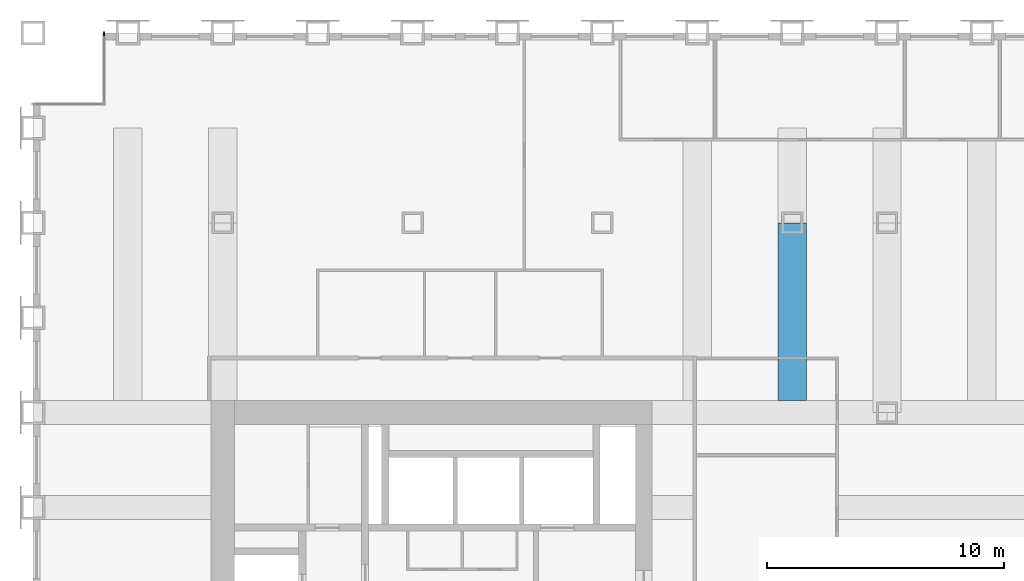
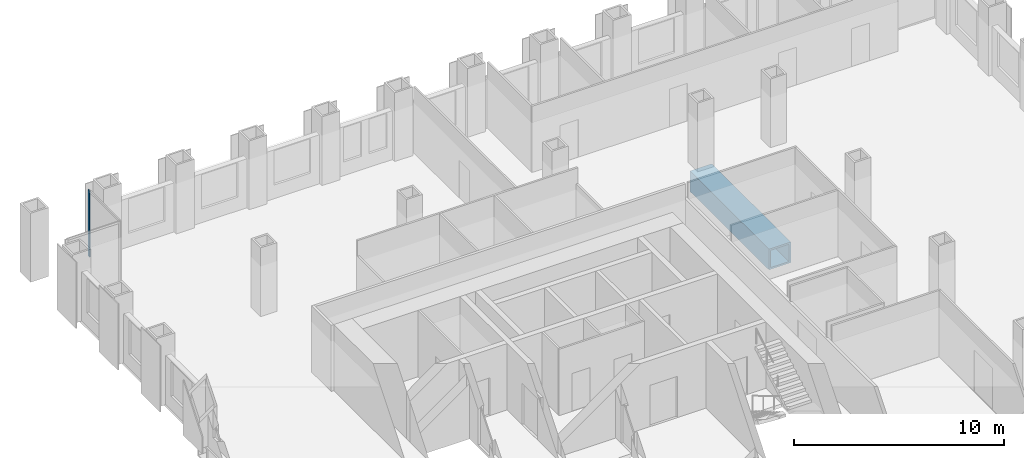
# One storey, part 7 of 14: 1 beam, 1 member, 1 element without a shape of its own.
"""IFC4 building model written with IfcOpenShell, lengths in metres."""

from ifc_helpers import new_model, si_unit, direction, frame, origin, origin_2d, place, context, subcontext, project, spatial, rectangle, hollow_rectangle, extrude, material, material_profile, profile_set, type_object, element, aggregate, save


model = new_model("IFC4")

# Units and contexts
model_context = context("Model", 3, precision=1e-05, world=origin(), true_north=direction((0.0, 1.0)))
body_context = subcontext(model_context, "Body", "Model", "MODEL_VIEW")
ifc_project = project(units=[si_unit("LENGTHUNIT", "METRE"), si_unit("AREAUNIT", "SQUARE_METRE"), si_unit("VOLUMEUNIT", "CUBIC_METRE"), si_unit("PLANEANGLEUNIT", "RADIAN"), si_unit("MASSUNIT", "GRAM", prefix="KILO")], contexts=[model_context])

# Site, building, storey
site_placement = place(None, origin())
site = spatial("IfcSite", under=ifc_project, at=site_placement, CompositionType="ELEMENT")
building_placement = place(site_placement, origin())
building = spatial("IfcBuilding", under=site, at=building_placement, Name="Rimbunsela Tower", CompositionType="ELEMENT")
storey_placement = place(building_placement, frame((0.0, 0.0, 109.39990234375)))
storey = spatial("IfcBuildingStorey", under=building, at=storey_placement, Name="L26", CompositionType="ELEMENT", Elevation=109.39990234375)

# Beam
ifc_material_1 = material(Name="Steel BJ 55 (fy 410 MPa)", Category="steel")
ifc_material_profile_1 = material_profile(ifc_material_1, hollow_rectangle(XDim=1.199951171875, YDim=1.199951171875, WallThickness=0.10009765625, at=origin_2d()), Name="BOX 1200x1200x100")
ifc_profile_set_1 = profile_set([ifc_material_profile_1], Name="Steel BJ 55 (fy 410 MPa)")
beam_type = type_object("IfcBeamType", Name="Beam BOX 1200x1200x100", PredefinedType="BEAM", material=ifc_profile_set_1)
beam_placement = place(storey_placement, frame((42.0, 36.5, -0.75), z_axis=(0.0, 1.0, 0.0), x_axis=(-1.0, 0.0, 0.0)))
element("IfcBeam", 1, at=beam_placement, inside=storey, type_object=beam_type, Name="Beam B5 L26", PredefinedType="BEAM", context=body_context, shape_type="SweptSolid", body=[
    extrude(hollow_rectangle(XDim=1.199951171875, YDim=1.199951171875, WallThickness=0.10009765625, at=origin_2d()), origin(), (0.0, 0.0, 1.0), 7.5),
])

# Curtain wall, member
ifc_material_2 = material(Name="Aluminium curtain wall", Category="aluminium")
curtain_wall_type = type_object("IfcCurtainWallType", Name="Corner glazing", PredefinedType="USERDEFINED", material=ifc_material_2)
curtain_wall_placement = place(storey_placement, origin())
curtain_wall = element("IfcCurtainWall", 2, at=curtain_wall_placement, inside=storey, type_object=curtain_wall_type, Name="Corner glazing L26", ObjectType="CORNER GLAZING", PredefinedType="USERDEFINED")
ifc_material_3 = material(Name="Aluminium mullion", Category="aluminium")
ifc_material_profile_2 = material_profile(ifc_material_3, rectangle(XDim=0.06005859375, YDim=0.159912109375, at=origin_2d()), Name="Mullion 60x160")
ifc_profile_set_2 = profile_set([ifc_material_profile_2], Name="Aluminium mullion")
member_type = type_object("IfcMemberType", Name="Curtain wall mullion 60x160", PredefinedType="MULLION", material=ifc_profile_set_2)
member_placement = place(storey_placement, frame((13.0, 51.969970703125, 0.0), z_axis=(0.0, 0.0, 1.0), x_axis=(1.0, 0.0, 0.0)))
member = element("IfcMember", 3, at=member_placement, type_object=member_type, Name="CW5 mullion 1", PredefinedType="MULLION", context=body_context, shape_type="SweptSolid", body=[
    extrude(rectangle(XDim=0.06005859375, YDim=0.159912109375, at=origin_2d()), origin(), (0.0, 0.0, 1.0), 3.85009765625),
])
aggregate(curtain_wall, [member])

save(model, "model.ifc")
